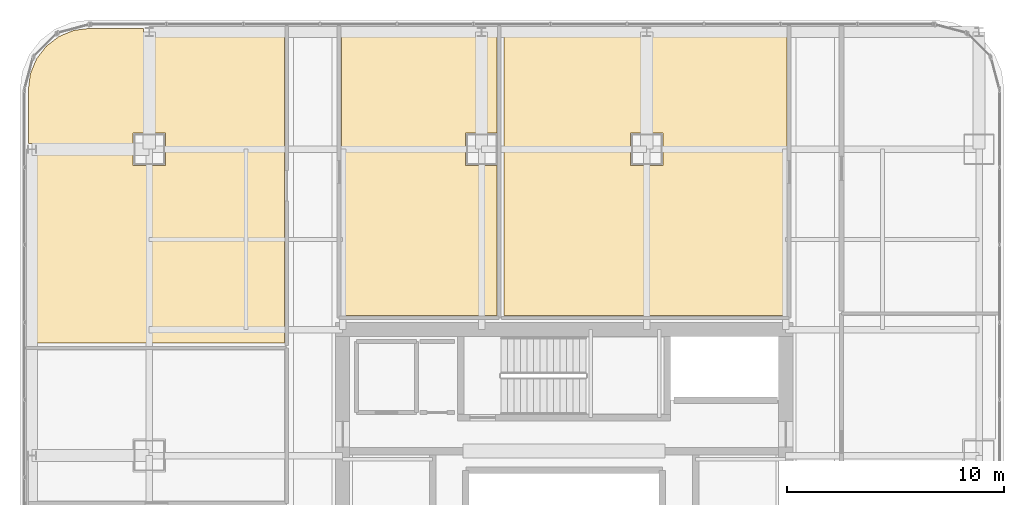
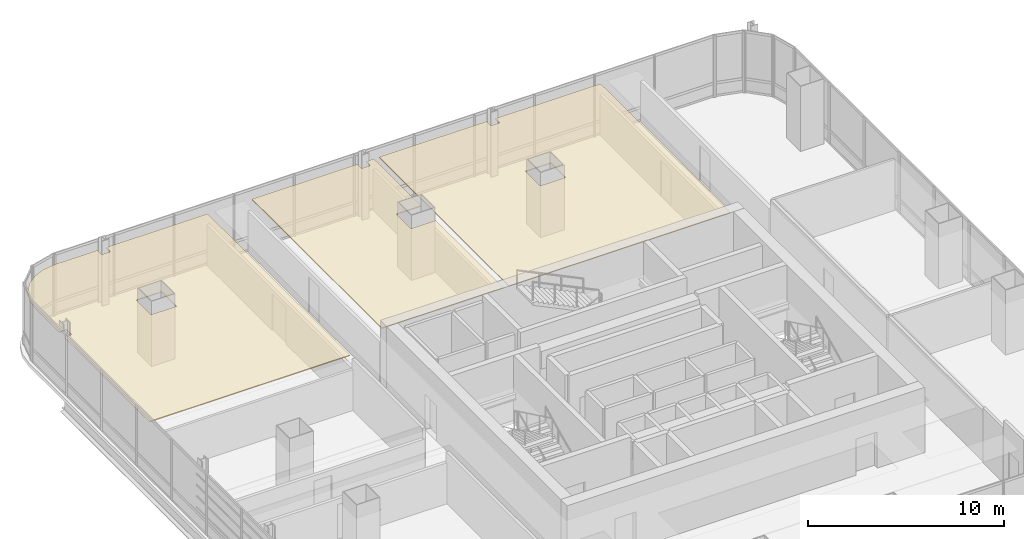
# One storey, part 38 of 38: 3 coverings.
"""IFC4 building model written with IfcOpenShell, lengths in metres."""

from ifc_helpers import new_model, si_unit, direction, frame, origin, place, context, subcontext, project, spatial, polyline, outline, extrude, material, layer, layer_set, type_object, element, save


model = new_model("IFC4")

# Units and contexts
model_context = context("Model", 3, precision=1e-05, world=origin(), true_north=direction((0.0, 1.0)))
body_context = subcontext(model_context, "Body", "Model", "MODEL_VIEW")
ifc_project = project(units=[si_unit("LENGTHUNIT", "METRE"), si_unit("AREAUNIT", "SQUARE_METRE"), si_unit("VOLUMEUNIT", "CUBIC_METRE"), si_unit("PLANEANGLEUNIT", "RADIAN"), si_unit("MASSUNIT", "GRAM", prefix="KILO")], contexts=[model_context])

# Site, building, storey
site_placement = place(None, origin())
site = spatial("IfcSite", under=ifc_project, at=site_placement, CompositionType="ELEMENT")
building_placement = place(site_placement, origin())
building = spatial("IfcBuilding", under=site, at=building_placement, Name="Punatoya Terracotta Tower", CompositionType="ELEMENT")
storey_placement = place(building_placement, frame((0.0, 0.0, 143.85009765625)))
storey = spatial("IfcBuildingStorey", under=building, at=storey_placement, Name="L33", CompositionType="ELEMENT", Elevation=143.85009765625)

# Coverings
ifc_material = material(Name="Acoustic Mineral Fibre Ceiling")
ifc_layer = layer(ifc_material, 0.06005859375)
ifc_layer_set = layer_set([ifc_layer], Name="Acoustic Mineral Fibre Ceiling")
covering_type = type_object("IfcCoveringType", Name="COV-CEIL-60", PredefinedType="CEILING", material=ifc_layer_set)
covering_1_placement = place(storey_placement, frame((0.0, 0.0, 3.219970703125)))
element("IfcCovering", 1, at=covering_1_placement, inside=storey, type_object=covering_type, Name="L33 Technical Seminar Room Acoustic Ceiling", PredefinedType="CEILING", context=body_context, shape_type="SweptSolid", body=[
    extrude(outline(polyline([(-12.8701171875, 23.070068359375), (-18.845458984375, 23.070068359375), (-18.845458984375, 22.637451171875), (-19.3544921875, 22.637451171875), (-19.3544921875, 23.070068359375), (-21.8251953125, 23.070068359375), (-22.5791015625, 22.970703125), (-23.25830078125, 22.689453125), (-23.841796875, 22.24169921875), (-24.289306640625, 21.658203125), (-24.57080078125, 20.97900390625), (-24.669921875, 20.22509765625), (-24.669921875, 17.762451171875), (-24.24560546875, 17.762451171875), (-24.24560546875, 17.237548828125), (-24.669921875, 17.237548828125), (-24.669921875, 8.569091796875), (-12.8701171875, 8.569091796875), (-12.8701171875, 23.070068359375)]), holes=[polyline([(-19.85009765625, 18.25), (-18.35009765625, 18.25), (-18.35009765625, 16.75), (-19.85009765625, 16.75), (-19.85009765625, 18.25)])]), origin(), (0.0, 0.0, 1.0), 0.059814453125),
])
covering_2_placement = place(storey_placement, frame((0.0, 0.0, 3.219970703125)))
element("IfcCovering", 2, at=covering_2_placement, inside=storey, type_object=covering_type, Name="L33 Open-Plan Laboratory Staff Pantry Acoustic Ceiling", PredefinedType="CEILING", context=body_context, shape_type="SweptSolid", body=[
    extrude(outline(polyline([(-3.54541015625, 23.070068359375), (-3.54541015625, 22.637451171875), (-4.054443359375, 22.637451171875), (-4.054443359375, 23.070068359375), (-10.260009765625, 23.070068359375), (-10.260009765625, 9.840087890625), (-3.093994140625, 9.840087890625), (-3.093994140625, 16.75), (-4.550048828125, 16.75), (-4.550048828125, 18.25), (-3.093994140625, 18.25), (-3.093994140625, 23.070068359375), (-3.54541015625, 23.070068359375)])), origin(), (0.0, 0.0, 1.0), 0.059814453125),
])
covering_3_placement = place(storey_placement, frame((0.0, 0.0, 3.219970703125)))
element("IfcCovering", 3, at=covering_3_placement, inside=storey, type_object=covering_type, Name="L33 Wellness Rest Room Acoustic Ceiling", PredefinedType="CEILING", context=body_context, shape_type="SweptSolid", body=[
    extrude(outline(polyline([(10.260009765625, 9.840087890625), (10.260009765625, 23.070068359375), (4.054443359375, 23.070068359375), (4.054443359375, 22.637451171875), (3.54541015625, 22.637451171875), (3.54541015625, 23.070068359375), (-2.77392578125, 23.070068359375), (-2.77392578125, 9.840087890625), (10.260009765625, 9.840087890625)]), holes=[polyline([(4.550048828125, 16.75), (3.050048828125, 16.75), (3.050048828125, 18.25), (4.550048828125, 18.25), (4.550048828125, 16.75)])]), origin(), (0.0, 0.0, 1.0), 0.059814453125),
])

save(model, "model.ifc")
